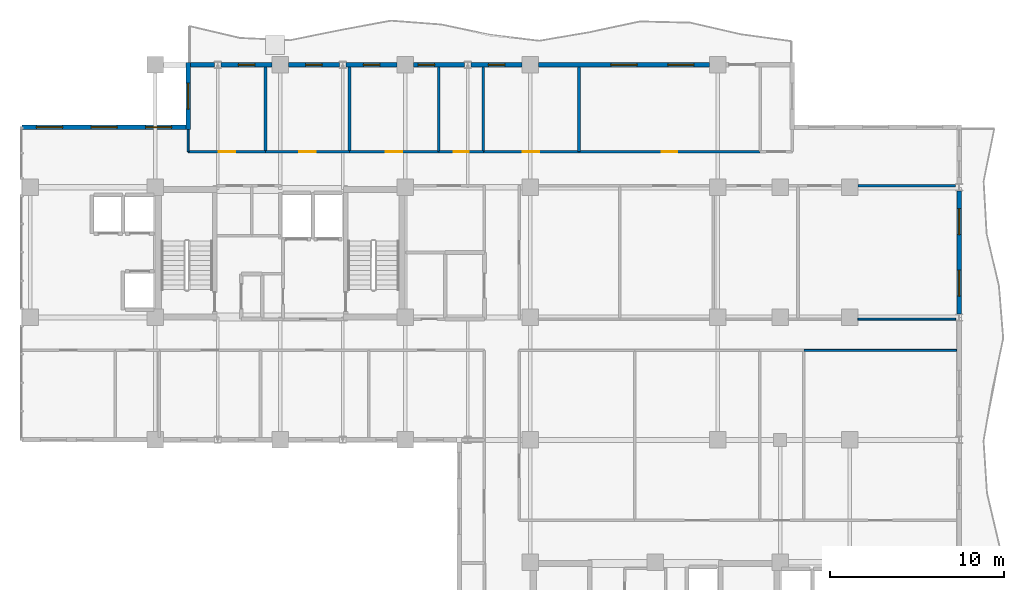
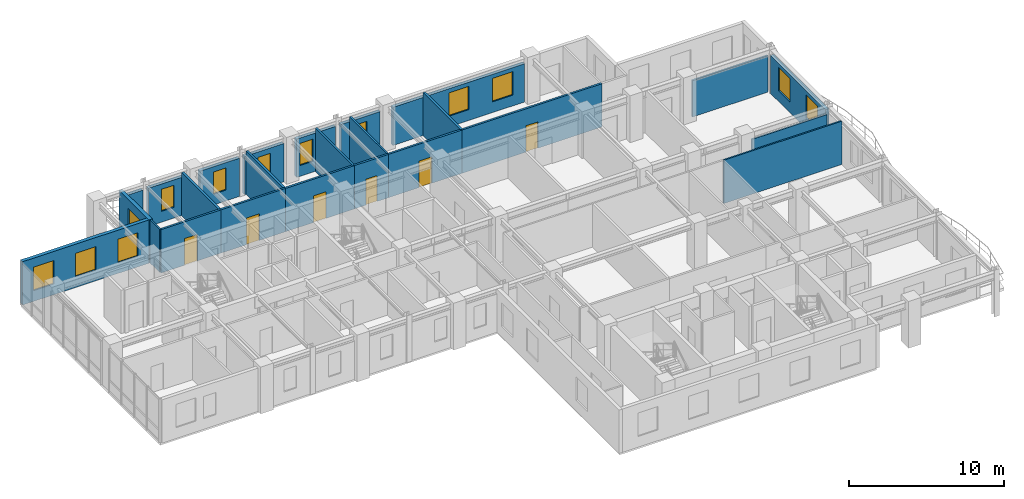
# One storey, part 16 of 20: 25 walls, 13 windows, 6 doors, 19 openings.
"""IFC4 building model written with IfcOpenShell, lengths in metres."""

from ifc_helpers import new_model, si_unit, direction, frame, frame_2d, origin, place, context, subcontext, project, spatial, rectangle, extrude, material, layer, layer_set, type_object, element, fill, save


model = new_model("IFC4")

# Units and contexts
model_context = context("Model", 3, precision=1e-05, world=origin(), true_north=direction((0.0, 1.0)))
body_context = subcontext(model_context, "Body", "Model", "MODEL_VIEW")
ifc_project = project(units=[si_unit("LENGTHUNIT", "METRE"), si_unit("AREAUNIT", "SQUARE_METRE"), si_unit("VOLUMEUNIT", "CUBIC_METRE"), si_unit("PLANEANGLEUNIT", "RADIAN"), si_unit("MASSUNIT", "GRAM", prefix="KILO")], contexts=[model_context])

# Site, building, storey
site_placement = place(None, origin())
site = spatial("IfcSite", under=ifc_project, at=site_placement, CompositionType="ELEMENT")
building_placement = place(site_placement, origin())
building = spatial("IfcBuilding", under=site, at=building_placement, Name="Kaliganga Portal Commons", CompositionType="ELEMENT")
storey_placement = place(building_placement, frame((0.0, 0.0, 231.39990234375)))
storey = spatial("IfcBuildingStorey", under=building, at=storey_placement, Name="L59", CompositionType="ELEMENT", Elevation=231.39990234375)

# Wall, openings, windows
ifc_material_1 = material(Name="Insulated Aluminium-Clad Spandrel Assembly", Category="aluminium")
ifc_layer_1 = layer(ifc_material_1, 0.260009765625)
ifc_layer_set_1 = layer_set([ifc_layer_1], Name="Insulated Aluminium-Clad Spandrel Assembly")
wall_type_1 = type_object("IfcWallType", Name="WL-EXT-SPAND-260", PredefinedType="STANDARD", material=ifc_layer_set_1)
wall_1_placement = place(storey_placement, frame((60.699951171875, 35.948974609375, 0.0), z_axis=(0.0, 0.0, 1.0), x_axis=(0.0, -1.0, 0.0)))
wall_1 = element("IfcWall", 1, at=wall_1_placement, inside=storey, type_object=wall_type_1, Name="Exterior Envelope Wall L59 P1-E03-S4", PredefinedType="STANDARD", context=body_context, shape_type="SweptSolid", body=[
    extrude(rectangle(XDim=7.097900390625, YDim=0.260009765625, at=frame_2d((3.548828125, 0.0))), origin(), (0.0, 0.0, 1.0), 3.02001953125),
])
opening_1_placement = place(wall_1_placement, frame((1.0244140625, 0.0, 0.85009765625)))
opening_1 = element("IfcOpeningElement", 2, at=opening_1_placement, cuts=wall_1, Name="Opening W-02", PredefinedType="OPENING", context=body_context, shape_type="SweptSolid", body=[
    extrude(rectangle(XDim=1.5, YDim=1.85009765625, at=frame_2d((0.75, 0.925048828125))), frame((0.0, 0.14013671875, 0.0), z_axis=(0.0, -1.0, 0.0), x_axis=(1.0, 0.0, 0.0)), (0.0, 0.0, 1.0), 0.280029296875),
])
opening_2_placement = place(wall_1_placement, frame((4.573486328125, 0.0, 0.85009765625)))
opening_2 = element("IfcOpeningElement", 3, at=opening_2_placement, cuts=wall_1, Name="Opening W-02", PredefinedType="OPENING", context=body_context, shape_type="SweptSolid", body=[
    extrude(rectangle(XDim=1.5, YDim=1.85009765625, at=frame_2d((0.75, 0.925048828125))), frame((0.0, 0.14013671875, 0.0), z_axis=(0.0, -1.0, 0.0), x_axis=(1.0, 0.0, 0.0)), (0.0, 0.0, 1.0), 0.280029296875),
])
ifc_material_2 = material(Name="Thermally Broken Aluminium and Low-E Double Glazing", Category="aluminium")
window_type_1 = type_object("IfcWindowType", Name="WIN-STD-1500", PartitioningType="DOUBLE_PANEL_VERTICAL", PredefinedType="WINDOW", material=ifc_material_2)
window_1_placement = place(opening_1_placement, origin())
window_1 = element("IfcWindow", 4, at=window_1_placement, inside=storey, type_object=window_type_1, Name="Facade Window L59-P1E03S4-00", OverallHeight=1.85009765625, OverallWidth=1.5, PartitioningType="SINGLE_PANEL", PredefinedType="WINDOW", context=body_context, shape_type="SweptSolid", body=[
    extrude(rectangle(XDim=1.5, YDim=1.85009765625, at=frame_2d((0.75, 0.925048828125))), frame((0.0, 0.030029296875, 0.0), z_axis=(0.0, -1.0, 0.0), x_axis=(1.0, 0.0, 0.0)), (0.0, 0.0, 1.0), 0.06005859375),
])
fill(opening_1, window_1)
window_2_placement = place(opening_2_placement, origin())
window_2 = element("IfcWindow", 5, at=window_2_placement, inside=storey, type_object=window_type_1, Name="Facade Window L59-P1E03S4-01", OverallHeight=1.85009765625, OverallWidth=1.5, PartitioningType="SINGLE_PANEL", PredefinedType="WINDOW", context=body_context, shape_type="SweptSolid", body=[
    extrude(rectangle(XDim=1.5, YDim=1.85009765625, at=frame_2d((0.75, 0.925048828125))), frame((0.0, 0.030029296875, 0.0), z_axis=(0.0, -1.0, 0.0), x_axis=(1.0, 0.0, 0.0)), (0.0, 0.0, 1.0), 0.06005859375),
])
fill(opening_2, window_2)

wall_2_placement = place(storey_placement, frame((36.47607421875, 43.199951171875, 0.0), z_axis=(0.0, 0.0, 1.0), x_axis=(1.0, 0.0, 0.0)))
wall_2 = element("IfcWall", 6, at=wall_2_placement, inside=storey, type_object=wall_type_1, Name="Exterior Envelope Wall L59 P1-E06-S2", PredefinedType="STANDARD", context=body_context, shape_type="SweptSolid", body=[
    extrude(rectangle(XDim=9.847900390625, YDim=0.260009765625, at=frame_2d((4.923828125, 0.0))), origin(), (0.0, 0.0, 1.0), 3.02001953125),
])
opening_3_placement = place(wall_2_placement, frame((4.174072265625, 0.0, 0.85009765625)))
opening_3 = element("IfcOpeningElement", 7, at=opening_3_placement, cuts=wall_2, Name="Opening W-02", PredefinedType="OPENING", context=body_context, shape_type="SweptSolid", body=[
    extrude(rectangle(XDim=1.5, YDim=1.85009765625, at=frame_2d((0.75, 0.925048828125))), frame((0.0, 0.14013671875, 0.0), z_axis=(0.0, -1.0, 0.0), x_axis=(1.0, 0.0, 0.0)), (0.0, 0.0, 1.0), 0.280029296875),
])
opening_4_placement = place(wall_2_placement, frame((7.456787109375, 0.0, 0.85009765625)))
opening_4 = element("IfcOpeningElement", 8, at=opening_4_placement, cuts=wall_2, Name="Opening W-02", PredefinedType="OPENING", context=body_context, shape_type="SweptSolid", body=[
    extrude(rectangle(XDim=1.5, YDim=1.85009765625, at=frame_2d((0.75, 0.925048828125))), frame((0.0, 0.14013671875, 0.0), z_axis=(0.0, -1.0, 0.0), x_axis=(1.0, 0.0, 0.0)), (0.0, 0.0, 1.0), 0.280029296875),
])
window_3_placement = place(opening_3_placement, origin())
window_3 = element("IfcWindow", 9, at=window_3_placement, inside=storey, type_object=window_type_1, Name="Facade Window L59-P1E06S2-01", OverallHeight=1.85009765625, OverallWidth=1.5, PartitioningType="SINGLE_PANEL", PredefinedType="WINDOW", context=body_context, shape_type="SweptSolid", body=[
    extrude(rectangle(XDim=1.5, YDim=1.85009765625, at=frame_2d((0.75, 0.925048828125))), frame((0.0, 0.030029296875, 0.0), z_axis=(0.0, -1.0, 0.0), x_axis=(1.0, 0.0, 0.0)), (0.0, 0.0, 1.0), 0.06005859375),
])
fill(opening_3, window_3)
window_4_placement = place(opening_4_placement, origin())
window_4 = element("IfcWindow", 10, at=window_4_placement, inside=storey, type_object=window_type_1, Name="Facade Window L59-P1E06S2-02", OverallHeight=1.85009765625, OverallWidth=1.5, PartitioningType="SINGLE_PANEL", PredefinedType="WINDOW", context=body_context, shape_type="SweptSolid", body=[
    extrude(rectangle(XDim=1.5, YDim=1.85009765625, at=frame_2d((0.75, 0.925048828125))), frame((0.0, 0.030029296875, 0.0), z_axis=(0.0, -1.0, 0.0), x_axis=(1.0, 0.0, 0.0)), (0.0, 0.0, 1.0), 0.06005859375),
])
fill(opening_4, window_4)

# Wall, opening, window
wall_3_placement = place(storey_placement, frame((32.6005859375, 43.199951171875, 0.0), z_axis=(0.0, 0.0, 1.0), x_axis=(1.0, 0.0, 0.0)))
wall_3 = element("IfcWall", 11, at=wall_3_placement, inside=storey, type_object=wall_type_1, Name="Exterior Envelope Wall L59 P1-E06-S3", PredefinedType="STANDARD", context=body_context, shape_type="SweptSolid", body=[
    extrude(rectangle(XDim=2.92333984375, YDim=0.260009765625, at=frame_2d((1.461669921875, 0.0))), origin(), (0.0, 0.0, 1.0), 3.02001953125),
])
opening_5_placement = place(wall_3_placement, frame((0.98681640625, 0.0, 0.85009765625)))
opening_5 = element("IfcOpeningElement", 12, at=opening_5_placement, cuts=wall_3, Name="Opening W-04", PredefinedType="OPENING", context=body_context, shape_type="SweptSolid", body=[
    extrude(rectangle(XDim=0.949951171875, YDim=1.75, at=frame_2d((0.47509765625, 0.875))), frame((0.0, 0.14013671875, 0.0), z_axis=(0.0, -1.0, 0.0), x_axis=(1.0, 0.0, 0.0)), (0.0, 0.0, 1.0), 0.280029296875),
])
window_type_2 = type_object("IfcWindowType", Name="WIN-NARROW-950", PartitioningType="SINGLE_PANEL", PredefinedType="WINDOW", material=ifc_material_2)
window_5_placement = place(opening_5_placement, origin())
window_5 = element("IfcWindow", 13, at=window_5_placement, inside=storey, type_object=window_type_2, Name="Facade Window L59-P1E06S3-00", OverallHeight=1.75, OverallWidth=0.949951171875, PartitioningType="SINGLE_PANEL", PredefinedType="WINDOW", context=body_context, shape_type="SweptSolid", body=[
    extrude(rectangle(XDim=0.949951171875, YDim=1.75, at=frame_2d((0.47509765625, 0.875))), frame((0.0, 0.030029296875, 0.0), z_axis=(0.0, -1.0, 0.0), x_axis=(1.0, 0.0, 0.0)), (0.0, 0.0, 1.0), 0.06005859375),
])
fill(opening_5, window_5)

wall_4_placement = place(storey_placement, frame((29.27587890625, 43.199951171875, 0.0), z_axis=(0.0, 0.0, 1.0), x_axis=(1.0, 0.0, 0.0)))
wall_4 = element("IfcWall", 14, at=wall_4_placement, inside=storey, type_object=wall_type_1, Name="Exterior Envelope Wall L59 P1-E06-S4", PredefinedType="STANDARD", context=body_context, shape_type="SweptSolid", body=[
    extrude(rectangle(XDim=2.923583984375, YDim=0.260009765625, at=frame_2d((1.4619140625, 0.0))), origin(), (0.0, 0.0, 1.0), 3.02001953125),
])
opening_6_placement = place(wall_4_placement, frame((0.26171875, 0.0, 0.85009765625)))
opening_6 = element("IfcOpeningElement", 15, at=opening_6_placement, cuts=wall_4, Name="Opening W-04", PredefinedType="OPENING", context=body_context, shape_type="SweptSolid", body=[
    extrude(rectangle(XDim=0.949951171875, YDim=1.75, at=frame_2d((0.47509765625, 0.875))), frame((0.0, 0.14013671875, 0.0), z_axis=(0.0, -1.0, 0.0), x_axis=(1.0, 0.0, 0.0)), (0.0, 0.0, 1.0), 0.280029296875),
])
window_6_placement = place(opening_6_placement, origin())
window_6 = element("IfcWindow", 16, at=window_6_placement, inside=storey, type_object=window_type_2, Name="Facade Window L59-P1E06S4-N1", OverallHeight=1.75, OverallWidth=0.949951171875, PartitioningType="SINGLE_PANEL", PredefinedType="WINDOW", context=body_context, shape_type="SweptSolid", body=[
    extrude(rectangle(XDim=0.949951171875, YDim=1.75, at=frame_2d((0.47509765625, 0.875))), frame((0.0, 0.030029296875, 0.0), z_axis=(0.0, -1.0, 0.0), x_axis=(1.0, 0.0, 0.0)), (0.0, 0.0, 1.0), 0.06005859375),
])
fill(opening_6, window_6)

wall_5_placement = place(storey_placement, frame((25.400390625, 43.199951171875, 0.0), z_axis=(0.0, 0.0, 1.0), x_axis=(1.0, 0.0, 0.0)))
wall_5 = element("IfcWall", 17, at=wall_5_placement, inside=storey, type_object=wall_type_1, Name="Exterior Envelope Wall L59 P1-E06-S5", PredefinedType="STANDARD", context=body_context, shape_type="SweptSolid", body=[
    extrude(rectangle(XDim=2.923583984375, YDim=0.260009765625, at=frame_2d((1.4619140625, 0.0))), origin(), (0.0, 0.0, 1.0), 3.02001953125),
])
opening_7_placement = place(wall_5_placement, frame((0.98681640625, 0.0, 0.85009765625)))
opening_7 = element("IfcOpeningElement", 18, at=opening_7_placement, cuts=wall_5, Name="Opening W-04", PredefinedType="OPENING", context=body_context, shape_type="SweptSolid", body=[
    extrude(rectangle(XDim=0.949951171875, YDim=1.75, at=frame_2d((0.47509765625, 0.875))), frame((0.0, 0.14013671875, 0.0), z_axis=(0.0, -1.0, 0.0), x_axis=(1.0, 0.0, 0.0)), (0.0, 0.0, 1.0), 0.280029296875),
])
window_7_placement = place(opening_7_placement, origin())
window_7 = element("IfcWindow", 19, at=window_7_placement, inside=storey, type_object=window_type_2, Name="Facade Window L59-P1E06S5-00", OverallHeight=1.75, OverallWidth=0.949951171875, PartitioningType="SINGLE_PANEL", PredefinedType="WINDOW", context=body_context, shape_type="SweptSolid", body=[
    extrude(rectangle(XDim=0.949951171875, YDim=1.75, at=frame_2d((0.47509765625, 0.875))), frame((0.0, 0.030029296875, 0.0), z_axis=(0.0, -1.0, 0.0), x_axis=(1.0, 0.0, 0.0)), (0.0, 0.0, 1.0), 0.06005859375),
])
fill(opening_7, window_7)

wall_6_placement = place(storey_placement, frame((22.075927734375, 43.199951171875, 0.0), z_axis=(0.0, 0.0, 1.0), x_axis=(1.0, 0.0, 0.0)))
wall_6 = element("IfcWall", 20, at=wall_6_placement, inside=storey, type_object=wall_type_1, Name="Exterior Envelope Wall L59 P1-E06-S6", PredefinedType="STANDARD", context=body_context, shape_type="SweptSolid", body=[
    extrude(rectangle(XDim=2.923583984375, YDim=0.260009765625, at=frame_2d((1.4619140625, 0.0))), origin(), (0.0, 0.0, 1.0), 3.02001953125),
])
opening_8_placement = place(wall_6_placement, frame((0.98681640625, 0.0, 0.85009765625)))
opening_8 = element("IfcOpeningElement", 21, at=opening_8_placement, cuts=wall_6, Name="Opening W-04", PredefinedType="OPENING", context=body_context, shape_type="SweptSolid", body=[
    extrude(rectangle(XDim=0.949951171875, YDim=1.75, at=frame_2d((0.47509765625, 0.875))), frame((0.0, 0.14013671875, 0.0), z_axis=(0.0, -1.0, 0.0), x_axis=(1.0, 0.0, 0.0)), (0.0, 0.0, 1.0), 0.280029296875),
])
window_8_placement = place(opening_8_placement, origin())
window_8 = element("IfcWindow", 22, at=window_8_placement, inside=storey, type_object=window_type_2, Name="Facade Window L59-P1E06S6-00", OverallHeight=1.75, OverallWidth=0.949951171875, PartitioningType="SINGLE_PANEL", PredefinedType="WINDOW", context=body_context, shape_type="SweptSolid", body=[
    extrude(rectangle(XDim=0.949951171875, YDim=1.75, at=frame_2d((0.47509765625, 0.875))), frame((0.0, 0.030029296875, 0.0), z_axis=(0.0, -1.0, 0.0), x_axis=(1.0, 0.0, 0.0)), (0.0, 0.0, 1.0), 0.06005859375),
])
fill(opening_8, window_8)

wall_7_placement = place(storey_placement, frame((18.200439453125, 43.199951171875, 0.0), z_axis=(0.0, 0.0, 1.0), x_axis=(1.0, 0.0, 0.0)))
wall_7 = element("IfcWall", 23, at=wall_7_placement, inside=storey, type_object=wall_type_1, Name="Exterior Envelope Wall L59 P1-E06-S7", PredefinedType="STANDARD", context=body_context, shape_type="SweptSolid", body=[
    extrude(rectangle(XDim=2.923583984375, YDim=0.260009765625, at=frame_2d((1.4619140625, 0.0))), origin(), (0.0, 0.0, 1.0), 3.02001953125),
])
opening_9_placement = place(wall_7_placement, frame((0.98681640625, 0.0, 0.85009765625)))
opening_9 = element("IfcOpeningElement", 24, at=opening_9_placement, cuts=wall_7, Name="Opening W-04", PredefinedType="OPENING", context=body_context, shape_type="SweptSolid", body=[
    extrude(rectangle(XDim=0.949951171875, YDim=1.75, at=frame_2d((0.47509765625, 0.875))), frame((0.0, 0.14013671875, 0.0), z_axis=(0.0, -1.0, 0.0), x_axis=(1.0, 0.0, 0.0)), (0.0, 0.0, 1.0), 0.280029296875),
])
window_9_placement = place(opening_9_placement, origin())
window_9 = element("IfcWindow", 25, at=window_9_placement, inside=storey, type_object=window_type_2, Name="Facade Window L59-P1E06S7-00", OverallHeight=1.75, OverallWidth=0.949951171875, PartitioningType="SINGLE_PANEL", PredefinedType="WINDOW", context=body_context, shape_type="SweptSolid", body=[
    extrude(rectangle(XDim=0.949951171875, YDim=1.75, at=frame_2d((0.47509765625, 0.875))), frame((0.0, 0.030029296875, 0.0), z_axis=(0.0, -1.0, 0.0), x_axis=(1.0, 0.0, 0.0)), (0.0, 0.0, 1.0), 0.06005859375),
])
fill(opening_9, window_9)

# Wall
wall_8_placement = place(storey_placement, frame((16.43505859375, 43.199951171875, 0.0), z_axis=(0.0, 0.0, 1.0), x_axis=(1.0, 0.0, 0.0)))
element("IfcWall", 26, at=wall_8_placement, inside=storey, type_object=wall_type_1, Name="Exterior Envelope Wall L59 P1-E06-S8", PredefinedType="STANDARD", context=body_context, shape_type="SweptSolid", body=[
    extrude(rectangle(XDim=1.364501953125, YDim=0.260009765625, at=frame_2d((0.68212890625, 0.0))), origin(), (0.0, 0.0, 1.0), 3.02001953125),
])

# Wall, opening, window
wall_9_placement = place(storey_placement, frame((16.300048828125, 39.469970703125, 0.0), z_axis=(0.0, 0.0, 1.0), x_axis=(0.0, 1.0, 0.0)))
wall_9 = element("IfcWall", 27, at=wall_9_placement, inside=storey, type_object=wall_type_1, Name="Exterior Envelope Wall L59 P1-E07-S1", PredefinedType="STANDARD", context=body_context, shape_type="SweptSolid", body=[
    extrude(rectangle(XDim=3.860107421875, YDim=0.260009765625, at=frame_2d((1.93017578125, 0.0))), origin(), (0.0, 0.0, 1.0), 3.420166015625),
])
opening_10_placement = place(wall_9_placement, frame((1.179931640625, 0.0, 0.85009765625)))
opening_10 = element("IfcOpeningElement", 28, at=opening_10_placement, cuts=wall_9, Name="Opening W-02", PredefinedType="OPENING", context=body_context, shape_type="SweptSolid", body=[
    extrude(rectangle(XDim=1.5, YDim=1.85009765625, at=frame_2d((0.75, 0.925048828125))), frame((0.0, 0.14013671875, 0.0), z_axis=(0.0, -1.0, 0.0), x_axis=(1.0, 0.0, 0.0)), (0.0, 0.0, 1.0), 0.280029296875),
])
window_10_placement = place(opening_10_placement, origin())
window_10 = element("IfcWindow", 29, at=window_10_placement, inside=storey, type_object=window_type_1, Name="Facade Window L59-P1E07S1-00", OverallHeight=1.85009765625, OverallWidth=1.5, PartitioningType="SINGLE_PANEL", PredefinedType="WINDOW", context=body_context, shape_type="SweptSolid", body=[
    extrude(rectangle(XDim=1.5, YDim=1.85009765625, at=frame_2d((0.75, 0.925048828125))), frame((0.0, 0.030029296875, 0.0), z_axis=(0.0, -1.0, 0.0), x_axis=(1.0, 0.0, 0.0)), (0.0, 0.0, 1.0), 0.06005859375),
])
fill(opening_10, window_10)

# Wall, openings, windows
wall_10_placement = place(storey_placement, frame((6.737060546875, 39.60009765625, 0.0), z_axis=(0.0, 0.0, 1.0), x_axis=(1.0, 0.0, 0.0)))
wall_10 = element("IfcWall", 30, at=wall_10_placement, inside=storey, type_object=wall_type_1, Name="Exterior Envelope Wall L59 P1-E08-S1", PredefinedType="STANDARD", context=body_context, shape_type="SweptSolid", body=[
    extrude(rectangle(XDim=9.427978515625, YDim=0.260009765625, at=frame_2d((4.7138671875, 0.0))), origin(), (0.0, 0.0, 1.0), 3.420166015625),
])
opening_11_placement = place(wall_10_placement, frame((0.8212890625, 0.0, 0.85009765625)))
opening_11 = element("IfcOpeningElement", 31, at=opening_11_placement, cuts=wall_10, Name="Opening W-02", PredefinedType="OPENING", context=body_context, shape_type="SweptSolid", body=[
    extrude(rectangle(XDim=1.5, YDim=1.85009765625, at=frame_2d((0.75, 0.925048828125))), frame((0.0, 0.14013671875, 0.0), z_axis=(0.0, -1.0, 0.0), x_axis=(1.0, 0.0, 0.0)), (0.0, 0.0, 1.0), 0.280029296875),
])
opening_12_placement = place(wall_10_placement, frame((3.964111328125, 0.0, 0.85009765625)))
opening_12 = element("IfcOpeningElement", 32, at=opening_12_placement, cuts=wall_10, Name="Opening W-02", PredefinedType="OPENING", context=body_context, shape_type="SweptSolid", body=[
    extrude(rectangle(XDim=1.5, YDim=1.85009765625, at=frame_2d((0.75, 0.925048828125))), frame((0.0, 0.14013671875, 0.0), z_axis=(0.0, -1.0, 0.0), x_axis=(1.0, 0.0, 0.0)), (0.0, 0.0, 1.0), 0.280029296875),
])
opening_13_placement = place(wall_10_placement, frame((7.106689453125, 0.0, 0.85009765625)))
opening_13 = element("IfcOpeningElement", 33, at=opening_13_placement, cuts=wall_10, Name="Opening W-02", PredefinedType="OPENING", context=body_context, shape_type="SweptSolid", body=[
    extrude(rectangle(XDim=1.5, YDim=1.85009765625, at=frame_2d((0.75, 0.925048828125))), frame((0.0, 0.14013671875, 0.0), z_axis=(0.0, -1.0, 0.0), x_axis=(1.0, 0.0, 0.0)), (0.0, 0.0, 1.0), 0.280029296875),
])
window_11_placement = place(opening_11_placement, origin())
window_11 = element("IfcWindow", 34, at=window_11_placement, inside=storey, type_object=window_type_1, Name="Facade Window L59-P1E08S1-00", OverallHeight=1.85009765625, OverallWidth=1.5, PartitioningType="SINGLE_PANEL", PredefinedType="WINDOW", context=body_context, shape_type="SweptSolid", body=[
    extrude(rectangle(XDim=1.5, YDim=1.85009765625, at=frame_2d((0.75, 0.925048828125))), frame((0.0, 0.030029296875, 0.0), z_axis=(0.0, -1.0, 0.0), x_axis=(1.0, 0.0, 0.0)), (0.0, 0.0, 1.0), 0.06005859375),
])
fill(opening_11, window_11)
window_12_placement = place(opening_12_placement, origin())
window_12 = element("IfcWindow", 35, at=window_12_placement, inside=storey, type_object=window_type_1, Name="Facade Window L59-P1E08S1-01", OverallHeight=1.85009765625, OverallWidth=1.5, PartitioningType="SINGLE_PANEL", PredefinedType="WINDOW", context=body_context, shape_type="SweptSolid", body=[
    extrude(rectangle(XDim=1.5, YDim=1.85009765625, at=frame_2d((0.75, 0.925048828125))), frame((0.0, 0.030029296875, 0.0), z_axis=(0.0, -1.0, 0.0), x_axis=(1.0, 0.0, 0.0)), (0.0, 0.0, 1.0), 0.06005859375),
])
fill(opening_12, window_12)
window_13_placement = place(opening_13_placement, origin())
window_13 = element("IfcWindow", 36, at=window_13_placement, inside=storey, type_object=window_type_1, Name="Facade Window L59-P1E08S1-02", OverallHeight=1.85009765625, OverallWidth=1.5, PartitioningType="SINGLE_PANEL", PredefinedType="WINDOW", context=body_context, shape_type="SweptSolid", body=[
    extrude(rectangle(XDim=1.5, YDim=1.85009765625, at=frame_2d((0.75, 0.925048828125))), frame((0.0, 0.030029296875, 0.0), z_axis=(0.0, -1.0, 0.0), x_axis=(1.0, 0.0, 0.0)), (0.0, 0.0, 1.0), 0.06005859375),
])
fill(opening_13, window_13)

# Wall, opening, door
ifc_material_3 = material(Name="Fire-Rated Gypsum Board on Steel Stud", Category="steel")
ifc_layer_2 = layer(ifc_material_3, 0.14990234375)
ifc_layer_set_2 = layer_set([ifc_layer_2], Name="Fire-Rated Gypsum Board on Steel Stud")
wall_type_2 = type_object("IfcWallType", Name="WL-PART-CORR-150", PredefinedType="PARTITIONING", material=ifc_layer_set_2)
wall_11_placement = place(storey_placement, frame((38.800048828125, 38.199951171875, 0.0), z_axis=(0.0, 0.0, 1.0), x_axis=(1.0, 0.0, 0.0)))
wall_11 = element("IfcWall", 37, at=wall_11_placement, inside=storey, type_object=wall_type_2, Name="Interior Partition L59-001", PredefinedType="PARTITIONING", context=body_context, shape_type="SweptSolid", body=[
    extrude(rectangle(XDim=10.43994140625, YDim=0.14990234375, at=frame_2d((5.219970703125, 0.0))), origin(), (0.0, 0.0, 1.0), 3.420166015625),
])
opening_14_placement = place(wall_11_placement, frame((4.77001953125, 0.0, 0.0)))
opening_14 = element("IfcOpeningElement", 38, at=opening_14_placement, cuts=wall_11, Name="Opening RD-01", PredefinedType="OPENING", context=body_context, shape_type="SweptSolid", body=[
    extrude(rectangle(XDim=0.89990234375, YDim=2.080078125, at=frame_2d((0.449951171875, 1.0400390625))), frame((0.0, 0.0849609375, 0.0), z_axis=(0.0, -1.0, 0.0), x_axis=(1.0, 0.0, 0.0)), (0.0, 0.0, 1.0), 0.169921875),
])
ifc_material_4 = material(Name="Engineered Timber Flush Door", Category="wood")
door_type_1 = type_object("IfcDoorType", Name="DR-ROOM-900", OperationType="NOTDEFINED", PredefinedType="DOOR", material=ifc_material_4)
door_1_placement = place(opening_14_placement, origin())
door_1 = element("IfcDoor", 39, at=door_1_placement, inside=storey, type_object=door_type_1, Name="Interior Door L59-AN06", OperationType="SINGLE_SWING_RIGHT", OverallHeight=2.080078125, OverallWidth=0.89990234375, PredefinedType="DOOR", context=body_context, shape_type="SweptSolid", body=[
    extrude(rectangle(XDim=0.89990234375, YDim=2.080078125, at=frame_2d((0.449951171875, 1.0400390625))), frame((0.0, 0.02490234375, 0.0), z_axis=(0.0, -1.0, 0.0), x_axis=(1.0, 0.0, 0.0)), (0.0, 0.0, 1.0), 0.050048828125),
])
fill(opening_14, door_1)

# Wall
wall_12_placement = place(storey_placement, frame((54.875, 36.239990234375, 0.0), z_axis=(0.0, 0.0, 1.0), x_axis=(1.0, 0.0, 0.0)))
element("IfcWall", 40, at=wall_12_placement, inside=storey, type_object=wall_type_2, Name="Interior Partition L59-004", PredefinedType="PARTITIONING", context=body_context, shape_type="SweptSolid", body=[
    extrude(rectangle(XDim=5.62548828125, YDim=0.14990234375, at=frame_2d((2.812744140625, 0.0))), origin(), (0.0, 0.0, 1.0), 2.8701171875),
])

# Wall, opening, door
wall_13_placement = place(storey_placement, frame((33.300048828125, 38.199951171875, 0.0), z_axis=(0.0, 0.0, 1.0), x_axis=(1.0, 0.0, 0.0)))
wall_13 = element("IfcWall", 41, at=wall_13_placement, inside=storey, type_object=wall_type_2, Name="Interior Partition L59-015", PredefinedType="PARTITIONING", context=body_context, shape_type="SweptSolid", body=[
    extrude(rectangle(XDim=5.5, YDim=0.14990234375, at=frame_2d((2.75, 0.0))), origin(), (0.0, 0.0, 1.0), 3.420166015625),
])
opening_15_placement = place(wall_13_placement, frame((2.27490234375, 0.0, 0.0)))
opening_15 = element("IfcOpeningElement", 42, at=opening_15_placement, cuts=wall_13, Name="Opening UD-01", PredefinedType="OPENING", context=body_context, shape_type="SweptSolid", body=[
    extrude(rectangle(XDim=0.949951171875, YDim=2.10009765625, at=frame_2d((0.47509765625, 1.050048828125))), frame((0.0, 0.0849609375, 0.0), z_axis=(0.0, -1.0, 0.0), x_axis=(1.0, 0.0, 0.0)), (0.0, 0.0, 1.0), 0.169921875),
])
ifc_material_5 = material(Name="Solid-Core Timber Acoustic Fire Door", Category="wood")
door_type_2 = type_object("IfcDoorType", Name="DR-UNIT-950", OperationType="NOTDEFINED", PredefinedType="DOOR", material=ifc_material_5)
door_2_placement = place(opening_15_placement, origin())
door_2 = element("IfcDoor", 43, at=door_2_placement, inside=storey, type_object=door_type_2, Name="Interior Door L59-AN05", OperationType="SINGLE_SWING_LEFT", OverallHeight=2.10009765625, OverallWidth=0.949951171875, PredefinedType="DOOR", context=body_context, shape_type="SweptSolid", body=[
    extrude(rectangle(XDim=0.949951171875, YDim=2.10009765625, at=frame_2d((0.47509765625, 1.050048828125))), frame((0.0, 0.02490234375, 0.0), z_axis=(0.0, -1.0, 0.0), x_axis=(1.0, 0.0, 0.0)), (0.0, 0.0, 1.0), 0.050048828125),
])
fill(opening_15, door_2)

wall_14_placement = place(storey_placement, frame((25.580078125, 38.199951171875, 0.0), z_axis=(0.0, 0.0, 1.0), x_axis=(1.0, 0.0, 0.0)))
wall_14 = element("IfcWall", 44, at=wall_14_placement, inside=storey, type_object=wall_type_2, Name="Interior Partition L59-018", PredefinedType="PARTITIONING", context=body_context, shape_type="SweptSolid", body=[
    extrude(rectangle(XDim=5.159912109375, YDim=0.14990234375, at=frame_2d((2.580078125, 0.0))), origin(), (0.0, 0.0, 1.0), 3.420166015625),
])
opening_16_placement = place(wall_14_placement, frame((2.10498046875, 0.0, 0.0)))
opening_16 = element("IfcOpeningElement", 45, at=opening_16_placement, cuts=wall_14, Name="Opening UD-01", PredefinedType="OPENING", context=body_context, shape_type="SweptSolid", body=[
    extrude(rectangle(XDim=0.949951171875, YDim=2.10009765625, at=frame_2d((0.47509765625, 1.050048828125))), frame((0.0, 0.0849609375, 0.0), z_axis=(0.0, -1.0, 0.0), x_axis=(1.0, 0.0, 0.0)), (0.0, 0.0, 1.0), 0.169921875),
])
door_3_placement = place(opening_16_placement, origin())
door_3 = element("IfcDoor", 46, at=door_3_placement, inside=storey, type_object=door_type_2, Name="Interior Door L59-AN03", OperationType="SINGLE_SWING_RIGHT", OverallHeight=2.10009765625, OverallWidth=0.949951171875, PredefinedType="DOOR", context=body_context, shape_type="SweptSolid", body=[
    extrude(rectangle(XDim=0.949951171875, YDim=2.10009765625, at=frame_2d((0.47509765625, 1.050048828125))), frame((0.0, 0.02490234375, 0.0), z_axis=(0.0, -1.0, 0.0), x_axis=(1.0, 0.0, 0.0)), (0.0, 0.0, 1.0), 0.050048828125),
])
fill(opening_16, door_3)

wall_15_placement = place(storey_placement, frame((20.760009765625, 38.199951171875, 0.0), z_axis=(0.0, 0.0, 1.0), x_axis=(1.0, 0.0, 0.0)))
wall_15 = element("IfcWall", 47, at=wall_15_placement, inside=storey, type_object=wall_type_2, Name="Interior Partition L59-022", PredefinedType="PARTITIONING", context=body_context, shape_type="SweptSolid", body=[
    extrude(rectangle(XDim=4.820068359375, YDim=0.14990234375, at=frame_2d((2.41015625, 0.0))), origin(), (0.0, 0.0, 1.0), 3.420166015625),
])
opening_17_placement = place(wall_15_placement, frame((1.93505859375, 0.0, 0.0)))
opening_17 = element("IfcOpeningElement", 48, at=opening_17_placement, cuts=wall_15, Name="Opening UD-01", PredefinedType="OPENING", context=body_context, shape_type="SweptSolid", body=[
    extrude(rectangle(XDim=0.949951171875, YDim=2.10009765625, at=frame_2d((0.47509765625, 1.050048828125))), frame((0.0, 0.0849609375, 0.0), z_axis=(0.0, -1.0, 0.0), x_axis=(1.0, 0.0, 0.0)), (0.0, 0.0, 1.0), 0.169921875),
])
door_4_placement = place(opening_17_placement, origin())
door_4 = element("IfcDoor", 49, at=door_4_placement, inside=storey, type_object=door_type_2, Name="Interior Door L59-AN02", OperationType="SINGLE_SWING_RIGHT", OverallHeight=2.10009765625, OverallWidth=0.949951171875, PredefinedType="DOOR", context=body_context, shape_type="SweptSolid", body=[
    extrude(rectangle(XDim=0.949951171875, YDim=2.10009765625, at=frame_2d((0.47509765625, 1.050048828125))), frame((0.0, 0.02490234375, 0.0), z_axis=(0.0, -1.0, 0.0), x_axis=(1.0, 0.0, 0.0)), (0.0, 0.0, 1.0), 0.050048828125),
])
fill(opening_17, door_4)

wall_16_placement = place(storey_placement, frame((16.300048828125, 38.199951171875, 0.0), z_axis=(0.0, 0.0, 1.0), x_axis=(1.0, 0.0, 0.0)))
wall_16 = element("IfcWall", 50, at=wall_16_placement, inside=storey, type_object=wall_type_2, Name="Interior Partition L59-024", PredefinedType="PARTITIONING", context=body_context, shape_type="SweptSolid", body=[
    extrude(rectangle(XDim=4.4599609375, YDim=0.14990234375, at=frame_2d((2.22998046875, 0.0))), origin(), (0.0, 0.0, 1.0), 3.420166015625),
])
opening_18_placement = place(wall_16_placement, frame((1.7548828125, 0.0, 0.0)))
opening_18 = element("IfcOpeningElement", 51, at=opening_18_placement, cuts=wall_16, Name="Opening UD-01", PredefinedType="OPENING", context=body_context, shape_type="SweptSolid", body=[
    extrude(rectangle(XDim=0.949951171875, YDim=2.10009765625, at=frame_2d((0.47509765625, 1.050048828125))), frame((0.0, 0.0849609375, 0.0), z_axis=(0.0, -1.0, 0.0), x_axis=(1.0, 0.0, 0.0)), (0.0, 0.0, 1.0), 0.169921875),
])
door_5_placement = place(opening_18_placement, origin())
door_5 = element("IfcDoor", 52, at=door_5_placement, inside=storey, type_object=door_type_2, Name="Interior Door L59-AN01", OperationType="SINGLE_SWING_RIGHT", OverallHeight=2.10009765625, OverallWidth=0.949951171875, PredefinedType="DOOR", context=body_context, shape_type="SweptSolid", body=[
    extrude(rectangle(XDim=0.949951171875, YDim=2.10009765625, at=frame_2d((0.47509765625, 1.050048828125))), frame((0.0, 0.02490234375, 0.0), z_axis=(0.0, -1.0, 0.0), x_axis=(1.0, 0.0, 0.0)), (0.0, 0.0, 1.0), 0.050048828125),
])
fill(opening_18, door_5)

wall_17_placement = place(storey_placement, frame((30.739990234375, 38.199951171875, 0.0), z_axis=(0.0, 0.0, 1.0), x_axis=(1.0, 0.0, 0.0)))
wall_17 = element("IfcWall", 53, at=wall_17_placement, inside=storey, type_object=wall_type_2, Name="Interior Partition L59-029", PredefinedType="PARTITIONING", context=body_context, shape_type="SweptSolid", body=[
    extrude(rectangle(XDim=2.56005859375, YDim=0.14990234375, at=frame_2d((1.280029296875, 0.0))), origin(), (0.0, 0.0, 1.0), 3.420166015625),
])
opening_19_placement = place(wall_17_placement, frame((0.85498046875, 0.0, 0.0)))
opening_19 = element("IfcOpeningElement", 54, at=opening_19_placement, cuts=wall_17, Name="Opening WD-01", PredefinedType="OPENING", context=body_context, shape_type="SweptSolid", body=[
    extrude(rectangle(XDim=0.85009765625, YDim=2.0400390625, at=frame_2d((0.425048828125, 1.02001953125))), frame((0.0, 0.0849609375, 0.0), z_axis=(0.0, -1.0, 0.0), x_axis=(1.0, 0.0, 0.0)), (0.0, 0.0, 1.0), 0.169921875),
])
ifc_material_6 = material(Name="Moisture-Resistant Laminate Timber Door", Category="wood")
door_type_3 = type_object("IfcDoorType", Name="DR-WET-850", OperationType="NOTDEFINED", PredefinedType="DOOR", material=ifc_material_6)
door_6_placement = place(opening_19_placement, origin())
door_6 = element("IfcDoor", 55, at=door_6_placement, inside=storey, type_object=door_type_3, Name="Interior Door L59-AN04", OperationType="SINGLE_SWING_RIGHT", OverallHeight=2.0400390625, OverallWidth=0.85009765625, PredefinedType="DOOR", context=body_context, shape_type="SweptSolid", body=[
    extrude(rectangle(XDim=0.85009765625, YDim=2.0400390625, at=frame_2d((0.425048828125, 1.02001953125))), frame((0.0, 0.02490234375, 0.0), z_axis=(0.0, -1.0, 0.0), x_axis=(1.0, 0.0, 0.0)), (0.0, 0.0, 1.0), 0.050048828125),
])
fill(opening_19, door_6)

# Walls
ifc_material_7 = material(Name="Moisture-Resistant Gypsum Partition", Category="gypsum")
ifc_layer_3 = layer(ifc_material_7, 0.114990234375)
ifc_layer_set_3 = layer_set([ifc_layer_3], Name="Moisture-Resistant Gypsum Partition")
wall_type_3 = type_object("IfcWallType", Name="WL-PART-ROOM-115", PredefinedType="PARTITIONING", material=ifc_layer_set_3)
wall_18_placement = place(storey_placement, frame((54.875, 28.56005859375, 0.0), z_axis=(0.0, 0.0, 1.0), x_axis=(1.0, 0.0, 0.0)))
element("IfcWall", 56, at=wall_18_placement, inside=storey, type_object=wall_type_3, Name="Interior Partition L59-049", PredefinedType="PARTITIONING", context=body_context, shape_type="SweptSolid", body=[
    extrude(rectangle(XDim=5.62548828125, YDim=0.114990234375, at=frame_2d((2.812744140625, 0.0))), origin(), (0.0, 0.0, 1.0), 2.8701171875),
])
wall_19_placement = place(storey_placement, frame((51.760009765625, 26.760009765625, 0.0), z_axis=(0.0, 0.0, 1.0), x_axis=(1.0, 0.0, 0.0)))
element("IfcWall", 57, at=wall_19_placement, inside=storey, type_object=wall_type_3, Name="Interior Partition L59-050", PredefinedType="PARTITIONING", context=body_context, shape_type="SweptSolid", body=[
    extrude(rectangle(XDim=8.80810546875, YDim=0.114990234375, at=frame_2d((4.404052734375, 0.0))), origin(), (0.0, 0.0, 1.0), 3.420166015625),
])
wall_20_placement = place(storey_placement, frame((16.300048828125, 38.199951171875, 0.0), z_axis=(0.0, 0.0, 1.0), x_axis=(0.0, 1.0, 0.0)))
element("IfcWall", 58, at=wall_20_placement, inside=storey, type_object=wall_type_3, Name="Interior Partition L59-062", PredefinedType="PARTITIONING", context=body_context, shape_type="SweptSolid", body=[
    extrude(rectangle(XDim=1.26806640625, YDim=0.114990234375, at=frame_2d((0.634033203125, 0.0))), origin(), (0.0, 0.0, 1.0), 3.420166015625),
])
ifc_material_8 = material(Name="Twin-Stud Acoustic Gypsum Partition", Category="gypsum")
ifc_layer_4 = layer(ifc_material_8, 0.1650390625)
ifc_layer_set_4 = layer_set([ifc_layer_4], Name="Twin-Stud Acoustic Gypsum Partition")
wall_type_4 = type_object("IfcWallType", Name="WL-PART-UNIT-165", PredefinedType="PARTITIONING", material=ifc_layer_set_4)
for number, where, z_axis, x_axis, name in (
    (59, (20.760009765625, 38.199951171875, 0.0), (0.0, 0.0, 1.0), (0.0, 1.0, 0.0), "Interior Partition L59-063"),
    (60, (25.580078125, 38.199951171875, 0.0), (0.0, 0.0, 1.0), (0.0, 1.0, 0.0), "Interior Partition L59-064"),
    (61, (38.800048828125, 38.199951171875, 0.0), (0.0, 0.0, 1.0), (0.0, 1.0, 0.0), "Interior Partition L59-067"),
):
    element("IfcWall", number, at=place(storey_placement, frame(where, z_axis=z_axis, x_axis=x_axis)), inside=storey, type_object=wall_type_4, Name=name, PredefinedType="PARTITIONING", context=body_context, shape_type="SweptSolid", body=[
        extrude(rectangle(XDim=4.8681640625, YDim=0.1650390625, at=frame_2d((2.43408203125, 0.0))), origin(), (0.0, 0.0, 1.0), 3.420166015625),
    ])
ifc_material_9 = material(Name="Cement-Board Wet-Room Partition", Category="gypsum")
ifc_layer_5 = layer(ifc_material_9, 0.135009765625)
ifc_layer_set_5 = layer_set([ifc_layer_5], Name="Cement-Board Wet-Room Partition")
wall_type_5 = type_object("IfcWallType", Name="WL-PART-WET-135", PredefinedType="PARTITIONING", material=ifc_layer_set_5)
for number, where, z_axis, x_axis, name in (
    (62, (30.739990234375, 38.199951171875, 0.0), (0.0, 0.0, 1.0), (0.0, 1.0, 0.0), "Interior Partition L59-065"),
    (63, (33.300048828125, 38.199951171875, 0.0), (0.0, 0.0, 1.0), (0.0, 1.0, 0.0), "Interior Partition L59-066"),
):
    element("IfcWall", number, at=place(storey_placement, frame(where, z_axis=z_axis, x_axis=x_axis)), inside=storey, type_object=wall_type_5, Name=name, PredefinedType="PARTITIONING", context=body_context, shape_type="SweptSolid", body=[
        extrude(rectangle(XDim=4.8681640625, YDim=0.135009765625, at=frame_2d((2.43408203125, 0.0))), origin(), (0.0, 0.0, 1.0), 3.420166015625),
    ])

save(model, "model.ifc")
